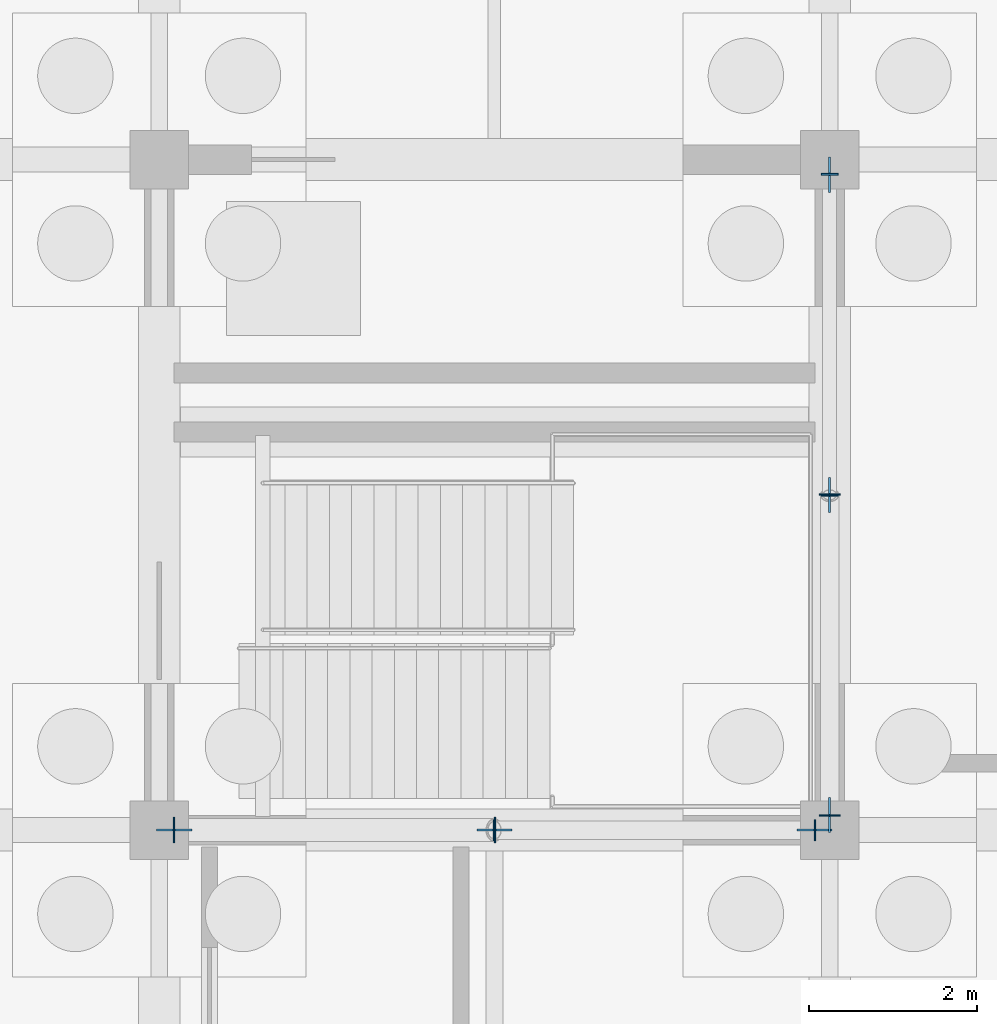
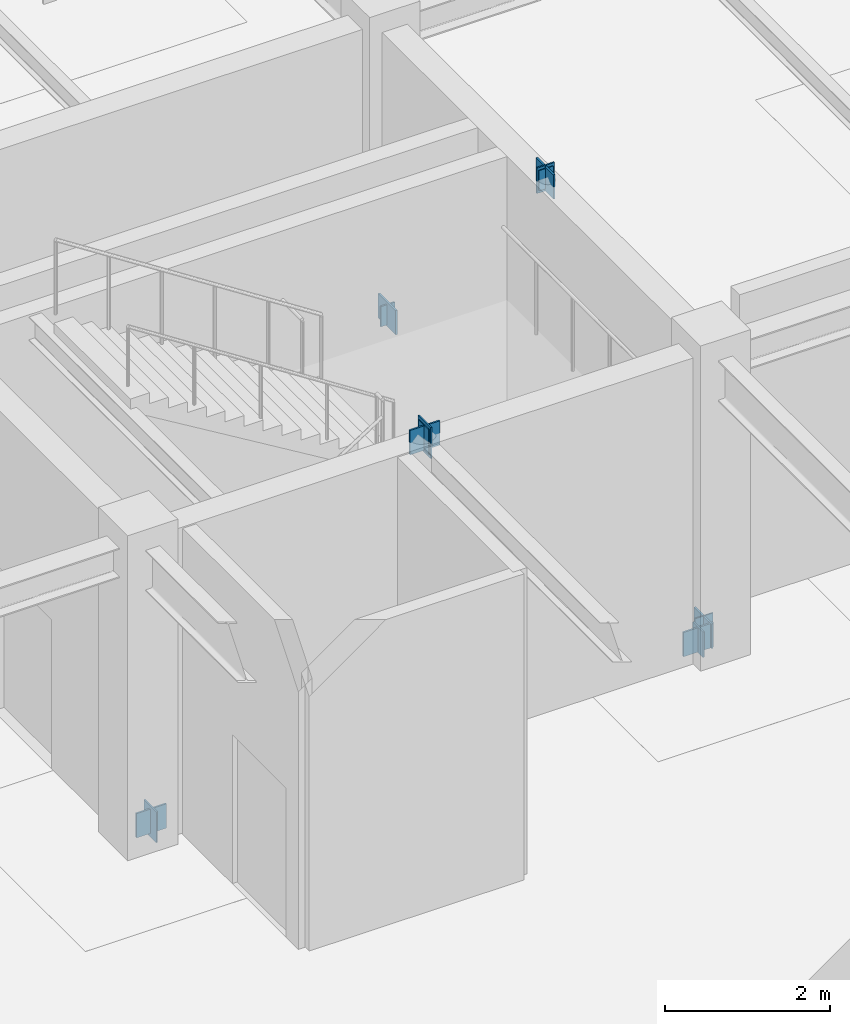
# One storey, part 55 of 72: 14 plates.
"""IFC4 building model written with IfcOpenShell, lengths in metres."""

import ifcopenshell
import ifcopenshell.guid

model = None  # the IFC model being written
_history = None  # IfcOwnerHistory: only IFC2X3 demands one
_inside = {}  # id of a spatial element -> (the spatial element, [elements in it])
_under = {}  # id of a project, library or spatial element -> (it, [spatial elements below it])
_declared = {}  # id of a project -> (the project, [libraries it declares])
_typed = {}  # id of a type object -> (the type object, [elements of that type])
_made_of = {}  # id of a material, layer set ... -> (it, [elements and type objects made of it])


def new_model(schema):
    """Start an empty IFC model of exactly this schema.

    Asked for "IFC4X3", IfcOpenShell would pick the latest addendum, in which some entities
    have other attributes; the version numbers below select the first issue.
    IFC2X3 requires an IfcOwnerHistory on every rooted entity: one is made here for all.
    """
    global model, _history
    if schema == "IFC4X3":
        model = ifcopenshell.file(schema_version=(4, 3, 0, 0))
    else:
        model = ifcopenshell.file(schema=schema)
    _inside.clear()
    _under.clear()
    _declared.clear()
    _typed.clear()
    _made_of.clear()
    _history = None
    if model.schema == "IFC2X3":
        org = make("IfcOrganization", Name="unknown")
        user = make(
            "IfcPersonAndOrganization",
            ThePerson=make("IfcPerson", FamilyName="unknown"),
            TheOrganization=org,
        )
        app = make(
            "IfcApplication",
            ApplicationDeveloper=org,
            Version="unknown",
            ApplicationFullName="unknown",
            ApplicationIdentifier="unknown",
        )
        _history = make(
            "IfcOwnerHistory",
            OwningUser=user,
            OwningApplication=app,
            ChangeAction="ADDED",
            CreationDate=0,
        )
    return model


def make(cls, **values):
    """One entity of the class cls with the attributes given. An attribute that is None is left unset."""
    return model.create_entity(
        cls, **{name: value for name, value in values.items() if value is not None}
    )


def rooted(cls, **values):
    """An entity with a GlobalId (a new one), such as an element, a storey or a relation."""
    return make(cls, GlobalId=ifcopenshell.guid.new(), OwnerHistory=_history, **values)


def si_unit(unit_type, name, prefix=None):
    """IfcSIUnit, for example si_unit("LENGTHUNIT", "METRE", prefix="MILLI")."""
    return make("IfcSIUnit", UnitType=unit_type, Prefix=prefix, Name=name)


def assignment(units):
    """IfcUnitAssignment: the units of a project."""
    return None if units is None else make("IfcUnitAssignment", Units=units)


def point(xyz):
    """IfcCartesianPoint."""
    return None if xyz is None else make("IfcCartesianPoint", Coordinates=xyz)


def direction(xyz):
    """IfcDirection."""
    return None if xyz is None else make("IfcDirection", DirectionRatios=xyz)


def frame(location, z_axis=None, x_axis=None):
    """IfcAxis2Placement3D, a coordinate frame: its origin and axes. An axis left out is left unset."""
    return make(
        "IfcAxis2Placement3D",
        Location=point(location),
        Axis=direction(z_axis),
        RefDirection=direction(x_axis),
    )


def frame_2d(location, x_axis=None):
    """IfcAxis2Placement2D, a coordinate frame in the plane: its origin and x axis."""
    return make(
        "IfcAxis2Placement2D", Location=point(location), RefDirection=direction(x_axis)
    )


def origin():
    """The frame at (0, 0, 0) with its axes left unset."""
    return frame((0.0, 0.0, 0.0))


def origin_2d():
    """The frame at (0, 0) in the plane with its x axis left unset."""
    return frame_2d((0.0, 0.0))


def place(relative_to, where):
    """IfcLocalPlacement: puts the frame where relative to a parent placement (None: the world)."""
    return make(
        "IfcLocalPlacement", PlacementRelTo=relative_to, RelativePlacement=where
    )


def context(
    kind, dimensions, precision=None, world=None, true_north=None, identifier=None
):
    """IfcGeometricRepresentationContext, for example the 3D "Model" context."""
    return make(
        "IfcGeometricRepresentationContext",
        ContextIdentifier=identifier,
        ContextType=kind,
        CoordinateSpaceDimension=dimensions,
        Precision=precision,
        WorldCoordinateSystem=world,
        TrueNorth=true_north,
    )


def subcontext(parent, identifier, kind, view, scale=None):
    """IfcGeometricRepresentationSubContext, for example "Body" below "Model"."""
    return make(
        "IfcGeometricRepresentationSubContext",
        ContextIdentifier=identifier,
        ContextType=kind,
        ParentContext=parent,
        TargetScale=scale,
        TargetView=view,
    )


def project(units=None, contexts=None):
    """IfcProject with its units and contexts."""
    return rooted(
        "IfcProject",
        Name="project",
        RepresentationContexts=contexts,
        UnitsInContext=assignment(units),
    )


def spatial(cls, under=None, at=None, **own):
    """A site, building, storey or space (cls), placed at a placement, below another one or the project."""
    s = rooted(cls, ObjectPlacement=at, **own)
    if under is not None:
        _under.setdefault(under.id(), (under, []))[1].append(s)
    return s


def profile(cls, at=None, kind="AREA", **sizes):
    """A parametric profile (cls). Its sizes go by their IFC names, for example OverallWidth=200.0."""
    return make(cls, ProfileType=kind, Position=at, **sizes)


def rectangle(**sizes):
    """IfcRectangleProfileDef."""
    return profile("IfcRectangleProfileDef", **sizes)


def extrude(swept, where, along, depth):
    """IfcExtrudedAreaSolid: the profile swept, set in the frame where, extruded along a direction by depth."""
    return make(
        "IfcExtrudedAreaSolid",
        SweptArea=swept,
        Position=where,
        ExtrudedDirection=direction(along),
        Depth=depth,
    )


def shape(context_of_items, identifier, shape_type, items):
    """IfcShapeRepresentation: the items that make up one representation, for example the "Body"."""
    return make(
        "IfcShapeRepresentation",
        ContextOfItems=context_of_items,
        RepresentationIdentifier=identifier,
        RepresentationType=shape_type,
        Items=items,
    )


def material(Name=None, Category=None):
    """IfcMaterial."""
    return make("IfcMaterial", Name=Name, Category=Category)


def layer(
    of_material, thickness, ventilated=None, Name=None, Category=None, Priority=None
):
    """IfcMaterialLayer: one layer of a wall or slab, of a material (None: an air gap)."""
    return make(
        "IfcMaterialLayer",
        Material=of_material,
        LayerThickness=thickness,
        IsVentilated=ventilated,
        Name=Name,
        Category=Category,
        Priority=Priority,
    )


def layer_set(layers, Name=None):
    """IfcMaterialLayerSet."""
    return make("IfcMaterialLayerSet", MaterialLayers=layers, LayerSetName=Name)


def made_of(thing, what):
    """Note that an element or type object is made of a material, layer set ...; save() writes the relation."""
    if what is not None:
        _made_of.setdefault(what.id(), (what, []))[1].append(thing)
    return thing


def type_object(cls, material=None, **own):
    """A type object (cls), such as IfcWallType, which elements share."""
    return made_of(rooted(cls, **own), material)


def element(
    cls,
    number,
    at=None,
    inside=None,
    cuts=None,
    type_object=None,
    material=None,
    context=None,
    identifier="Body",
    shape_type=None,
    held_by="IfcProductDefinitionShape",
    body=None,
    shapes=None,
    **own,
):
    """One element of the class cls, such as IfcWall. Its Tag is "e" and its number.

    at: its placement. inside: the storey or other place that contains it. cuts: it is an
    opening in that element (IfcRelVoidsElement). A single representation is given by context,
    identifier, shape_type and body (its items); several are given by shapes. held_by: the class
    of the entity that holds the representations. save() writes the other relations.
    """
    e = rooted(cls, Tag="e%d" % number, ObjectPlacement=at, **own)
    if body is not None:
        shapes = [shape(context, identifier, shape_type, body)]
    if shapes is not None:
        e.Representation = make(held_by, Representations=shapes)
    if inside is not None:
        _inside.setdefault(inside.id(), (inside, []))[1].append(e)
    if cuts is not None:
        rooted(
            "IfcRelVoidsElement", RelatingBuildingElement=cuts, RelatedOpeningElement=e
        )
    if type_object is not None:
        _typed.setdefault(type_object.id(), (type_object, []))[1].append(e)
    return made_of(e, material)


def aggregate(whole, parts):
    """IfcRelAggregates: a whole, such as a stair, and the parts it consists of."""
    return rooted("IfcRelAggregates", RelatingObject=whole, RelatedObjects=parts)


def save(model, path):
    """Write the relations noted so far, then the file.

    IfcRelAggregates (storeys below a building ...), IfcRelContainedInSpatialStructure (elements
    in a storey), IfcRelDefinesByType, IfcRelAssociatesMaterial and IfcRelDeclares: one each for
    every whole, place, type object, material and project.
    """
    for whole, parts in _under.values():
        aggregate(whole, parts)
    for where, things in _inside.values():
        rooted(
            "IfcRelContainedInSpatialStructure",
            RelatedElements=things,
            RelatingStructure=where,
        )
    for kind, things in _typed.values():
        rooted("IfcRelDefinesByType", RelatedObjects=things, RelatingType=kind)
    for what, things in _made_of.values():
        rooted("IfcRelAssociatesMaterial", RelatedObjects=things, RelatingMaterial=what)
    for by, libraries in _declared.values():
        rooted("IfcRelDeclares", RelatingContext=by, RelatedDefinitions=libraries)
    model.write(path)


model = new_model("IFC4")

# Units and contexts
model_context = context("Model", 3, precision=1e-05, world=origin(), true_north=direction((0.0, 1.0)))
body_context = subcontext(model_context, "Body", "Model", "MODEL_VIEW")
ifc_project = project(units=[si_unit("LENGTHUNIT", "METRE"), si_unit("AREAUNIT", "SQUARE_METRE"), si_unit("VOLUMEUNIT", "CUBIC_METRE"), si_unit("PLANEANGLEUNIT", "RADIAN"), si_unit("MASSUNIT", "GRAM", prefix="KILO")], contexts=[model_context])

# Site, building, storey
site_placement = place(None, origin())
site = spatial("IfcSite", under=ifc_project, at=site_placement, CompositionType="ELEMENT")
building_placement = place(site_placement, origin())
building = spatial("IfcBuilding", under=site, at=building_placement, Name="Zhaolan Boulevard Law Courts", CompositionType="ELEMENT")
storey_placement = place(building_placement, frame((0.0, 0.0, -4.800048828125)))
storey = spatial("IfcBuildingStorey", under=building, at=storey_placement, Name="B1", CompositionType="ELEMENT", Elevation=-4.800048828125)

# Plates
ifc_material_1 = material(Name="Structural steel Q355B", Category="steel")
ifc_layer_1 = layer(ifc_material_1, 0.02392578125)
ifc_layer_set_1 = layer_set([ifc_layer_1])
plate_type_1 = type_object("IfcPlateType", Name="BRACE GUSSET PLATE 24", PredefinedType="SHEET", material=ifc_layer_set_1)
for number, where, z_axis, x_axis, name in (
    (1, (84.179931640625, 70.0, 0.02001953125), (0.0, 0.0, 1.0), (1.0, 0.0, 0.0), "Brace Gusset Connection Plate GP-T1-B1-SA1"),
    (2, (91.820068359375, 70.0, 0.02001953125), (0.0, 0.0, 1.0), (1.0, 0.0, 0.0), "Brace Gusset Connection Plate GP-T1-B1-SA2"),
    (3, (88.0, 70.0, 4.33984375), (0.0, 0.0, 1.0), (1.0, 0.0, 0.0), "Brace Gusset Connection Plate GP-T1-B1-SAPX"),
    (4, (92.0, 70.179931640625, 0.02001953125), (0.0, 0.0, 1.0), (0.0, 1.0, 0.0), "Brace Gusset Connection Plate GP-T1-B1-EA1"),
    (5, (92.0, 77.820068359375, 0.02001953125), (0.0, 0.0, 1.0), (0.0, 1.0, 0.0), "Brace Gusset Connection Plate GP-T1-B1-EA2"),
    (6, (92.0, 74.0, 4.33984375), (0.0, 0.0, 1.0), (0.0, 1.0, 0.0), "Brace Gusset Connection Plate GP-T1-B1-EAPX"),
):
    element("IfcPlate", number, at=place(storey_placement, frame(where, z_axis=z_axis, x_axis=x_axis)), inside=storey, type_object=plate_type_1, Name=name, PredefinedType="SHEET", context=body_context, shape_type="SweptSolid", body=[
        extrude(rectangle(XDim=0.419921875, YDim=0.02392578125, at=origin_2d()), origin(), (0.0, 0.0, 1.0), 0.360107421875),
    ])
ifc_material_2 = material(Name="Structural steel Q355B", Category="steel")
ifc_layer_2 = layer(ifc_material_2, 0.02001953125)
ifc_layer_set_2 = layer_set([ifc_layer_2])
plate_type_2 = type_object("IfcPlateType", Name="END CAP PLATE 20", PredefinedType="SHEET", material=ifc_layer_set_2)
for number, where, z_axis, x_axis, name in (
    (7, (84.1748046875, 70.0, -0.034423828125), (0.0, 0.0, 1.0), (1.0, 0.0, 0.0), "Hollow Section End-Cap Plate ECP-1271"),
    (8, (88.00537109375, 70.0, 4.297607421875), (0.0, 0.0, 1.0), (1.0, 0.0, 0.0), "Hollow Section End-Cap Plate ECP-1272"),
):
    element("IfcPlate", number, at=place(storey_placement, frame(where, z_axis=z_axis, x_axis=x_axis)), inside=storey, type_object=plate_type_2, Name=name, PredefinedType="SHEET", context=body_context, shape_type="SweptSolid", body=[
        extrude(rectangle(XDim=0.02001953125, YDim=0.302978515625, at=origin_2d()), origin(), (0.0, 0.0, 1.0), 0.45703125),
    ])
for number, where, z_axis, x_axis, name in (
    (9, (91.8251953125, 70.0, 0.006103515625), (0.0, 0.0, 1.0), (-1.0, 0.0, 0.0), "Hollow Section End-Cap Plate ECP-1273"),
    (10, (87.99462890625, 70.0, 4.338134765625), (0.0, 0.0, 1.0), (-1.0, 0.0, 0.0), "Hollow Section End-Cap Plate ECP-1274"),
    (11, (92.0, 70.1748046875, 0.006103515625), (0.0, 0.0, 1.0), (0.0, 1.0, 0.0), "Hollow Section End-Cap Plate ECP-1275"),
    (12, (92.0, 74.00537109375, 4.338134765625), (0.0, 0.0, 1.0), (0.0, 1.0, 0.0), "Hollow Section End-Cap Plate ECP-1276"),
):
    element("IfcPlate", number, at=place(storey_placement, frame(where, z_axis=z_axis, x_axis=x_axis)), inside=storey, type_object=plate_type_2, Name=name, PredefinedType="SHEET", context=body_context, shape_type="SweptSolid", body=[
        extrude(rectangle(XDim=0.02001953125, YDim=0.2490234375, at=origin_2d()), origin(), (0.0, 0.0, 1.0), 0.3759765625),
    ])
for number, where, z_axis, x_axis, name in (
    (13, (92.0, 77.8251953125, 0.04443359375), (0.0, 0.0, 1.0), (0.0, -1.0, 0.0), "Hollow Section End-Cap Plate ECP-1277"),
    (14, (92.0, 73.99462890625, 4.37646484375), (0.0, 0.0, 1.0), (0.0, -1.0, 0.0), "Hollow Section End-Cap Plate ECP-1278"),
):
    element("IfcPlate", number, at=place(storey_placement, frame(where, z_axis=z_axis, x_axis=x_axis)), inside=storey, type_object=plate_type_2, Name=name, PredefinedType="SHEET", context=body_context, shape_type="SweptSolid", body=[
        extrude(rectangle(XDim=0.02001953125, YDim=0.197998046875, at=origin_2d()), origin(), (0.0, 0.0, 1.0), 0.299072265625),
    ])

save(model, "model.ifc")
